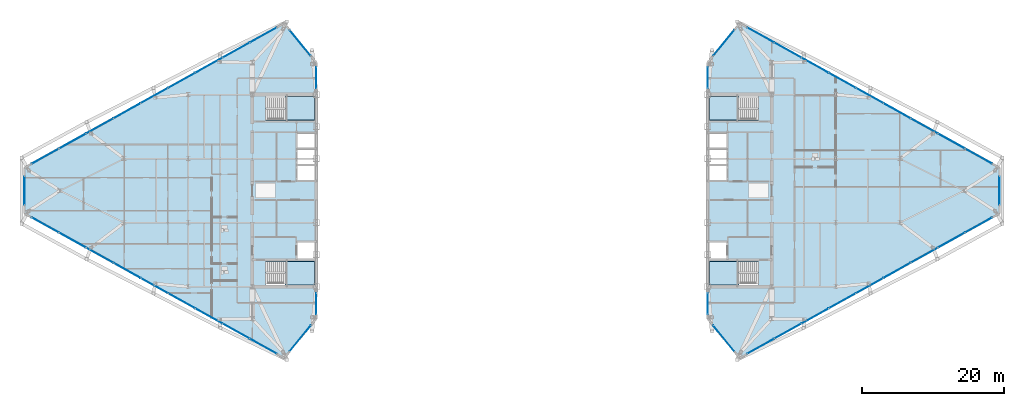
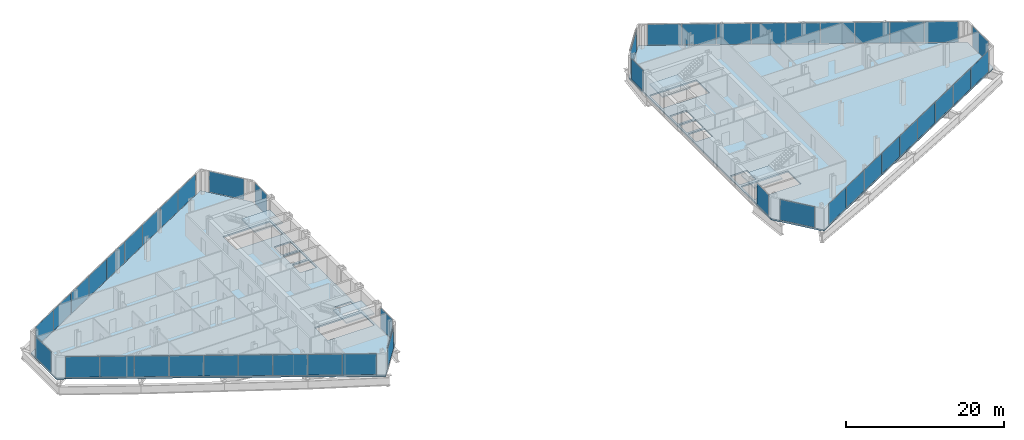
# One storey, part 19 of 28: 46 plates, 6 slabs, 18 elements without a shape of their own.
"""IFC4 building model written with IfcOpenShell, lengths in metres."""

from ifc_helpers import new_model, si_unit, direction, frame, origin, origin_2d, place, context, subcontext, project, spatial, polyline, rectangle, outline, extrude, source, transform, mapped, material, layer, layer_set, type_object, type_shapes, element, aggregate, save


model = new_model("IFC4")

# Units and contexts
model_context = context("Model", 3, precision=1e-05, world=origin(), true_north=direction((0.0, 1.0)))
body_context = subcontext(model_context, "Body", "Model", "MODEL_VIEW")
ifc_project = project(units=[si_unit("LENGTHUNIT", "METRE"), si_unit("AREAUNIT", "SQUARE_METRE"), si_unit("VOLUMEUNIT", "CUBIC_METRE"), si_unit("PLANEANGLEUNIT", "RADIAN"), si_unit("MASSUNIT", "GRAM", prefix="KILO")], contexts=[model_context])

# Site, building, storey
site_placement = place(None, origin())
site = spatial("IfcSite", under=ifc_project, at=site_placement, CompositionType="ELEMENT")
building_placement = place(site_placement, origin())
building = spatial("IfcBuilding", under=site, at=building_placement, Name="Seokmaru Belvedere", CompositionType="ELEMENT")
storey_placement = place(building_placement, frame((0.0, 0.0, 158.39990234375)))
storey = spatial("IfcBuildingStorey", under=building, at=storey_placement, Name="L42", CompositionType="ELEMENT", Elevation=158.39990234375)

# Stair, slab
ifc_material_1 = material(Name="Concrete C40 (40 MPa)", Category="concrete")
stair_type = type_object("IfcStairType", Name="Typical Tower Core Dog-Leg Stair 3600", PredefinedType="TWO_STRAIGHT_RUN_STAIR", material=ifc_material_1)
stair_1_placement = place(storey_placement, origin())
stair_1 = element("IfcStair", 1, at=stair_1_placement, inside=storey, type_object=stair_type, Name="L42 Special Escape Stair ST-W1", PredefinedType="TWO_STRAIGHT_RUN_STAIR")
ifc_layer_1 = layer(ifc_material_1, 0.199951171875)
ifc_layer_set_1 = layer_set([ifc_layer_1], Name="Concrete C40 (40 MPa)")
slab_type_1 = type_object("IfcSlabType", Name="Reinforced Concrete Stair Landing Slab 200", PredefinedType="LANDING", material=ifc_layer_set_1)
slab_1_placement = place(storey_placement, frame((0.0, 0.0, 1.60009765625)))
slab_1 = element("IfcSlab", 2, at=slab_1_placement, type_object=slab_type_1, Name="ST-W1 landing 1", PredefinedType="LANDING", context=body_context, shape_type="SweptSolid", body=[
    extrude(outline(polyline([(-31.8798828125, -13.239990234375), (-27.760009765625, -13.239990234375), (-27.760009765625, -9.949951171875), (-31.8798828125, -9.949951171875), (-31.8798828125, -13.239990234375)])), origin(), (0.0, 0.0, 1.0), 0.199951171875),
])
aggregate(stair_1, [slab_1])

stair_2_placement = place(storey_placement, origin())
stair_2 = element("IfcStair", 3, at=stair_2_placement, inside=storey, type_object=stair_type, Name="L42 Special Escape Stair ST-W2", PredefinedType="TWO_STRAIGHT_RUN_STAIR")
slab_2_placement = place(storey_placement, frame((0.0, 0.0, 1.60009765625)))
slab_2 = element("IfcSlab", 4, at=slab_2_placement, type_object=slab_type_1, Name="ST-W2 landing 1", PredefinedType="LANDING", context=body_context, shape_type="SweptSolid", body=[
    extrude(outline(polyline([(-31.8798828125, 9.949951171875), (-27.760009765625, 9.949951171875), (-27.760009765625, 13.239990234375), (-31.8798828125, 13.239990234375), (-31.8798828125, 9.949951171875)])), origin(), (0.0, 0.0, 1.0), 0.199951171875),
])
aggregate(stair_2, [slab_2])

stair_3_placement = place(storey_placement, origin())
stair_3 = element("IfcStair", 5, at=stair_3_placement, inside=storey, type_object=stair_type, Name="L42 Special Escape Stair ST-E1", PredefinedType="TWO_STRAIGHT_RUN_STAIR")
slab_3_placement = place(storey_placement, frame((0.0, 0.0, 1.60009765625)))
slab_3 = element("IfcSlab", 6, at=slab_3_placement, type_object=slab_type_1, Name="ST-E1 landing 1", PredefinedType="LANDING", context=body_context, shape_type="SweptSolid", body=[
    extrude(outline(polyline([(27.760009765625, -13.239990234375), (31.8798828125, -13.239990234375), (31.8798828125, -9.949951171875), (27.760009765625, -9.949951171875), (27.760009765625, -13.239990234375)])), origin(), (0.0, 0.0, 1.0), 0.199951171875),
])
aggregate(stair_3, [slab_3])

stair_4_placement = place(storey_placement, origin())
stair_4 = element("IfcStair", 7, at=stair_4_placement, inside=storey, type_object=stair_type, Name="L42 Special Escape Stair ST-E2", PredefinedType="TWO_STRAIGHT_RUN_STAIR")
slab_4_placement = place(storey_placement, frame((0.0, 0.0, 1.60009765625)))
slab_4 = element("IfcSlab", 8, at=slab_4_placement, type_object=slab_type_1, Name="ST-E2 landing 1", PredefinedType="LANDING", context=body_context, shape_type="SweptSolid", body=[
    extrude(outline(polyline([(27.760009765625, 9.949951171875), (31.8798828125, 9.949951171875), (31.8798828125, 13.239990234375), (27.760009765625, 13.239990234375), (27.760009765625, 9.949951171875)])), origin(), (0.0, 0.0, 1.0), 0.199951171875),
])
aggregate(stair_4, [slab_4])

# Slabs
ifc_layer_2 = layer(ifc_material_1, 0.219970703125)
ifc_layer_set_2 = layer_set([ifc_layer_2], Name="Concrete C40 (40 MPa)")
slab_type_2 = type_object("IfcSlabType", Name="Typical Tower Composite Floor Slab 220", PredefinedType="FLOOR", material=ifc_layer_set_2)
slab_5_placement = place(storey_placement, frame((0.0, 0.0, -0.219970703125)))
element("IfcSlab", 9, at=slab_5_placement, inside=storey, type_object=slab_type_2, Name="L42 West Leg Floor Slab", PredefinedType="FLOOR", context=body_context, shape_type="SweptSolid", body=[
    extrude(outline(polyline([(-27.5, -18.0), (-27.5, 18.0), (-32.0, 23.5), (-68.5, 3.199951171875), (-68.5, -3.199951171875), (-32.0, -23.5), (-27.5, -18.0)]), holes=[polyline([(-34.60009765625, -13.25), (-27.75, -13.25), (-27.75, -9.949951171875), (-34.60009765625, -9.949951171875), (-34.60009765625, -13.25)]), polyline([(-34.60009765625, 9.949951171875), (-27.75, 9.949951171875), (-27.75, 13.25), (-34.60009765625, 13.25), (-34.60009765625, 9.949951171875)]), polyline([(-30.14990234375, -9.550048828125), (-27.75, -9.550048828125), (-27.75, -7.25), (-30.14990234375, -7.25), (-30.14990234375, -9.550048828125)]), polyline([(-30.14990234375, 1.449951171875), (-27.75, 1.449951171875), (-27.75, 3.449951171875), (-30.14990234375, 3.449951171875), (-30.14990234375, 1.449951171875)]), polyline([(-30.14990234375, 3.75), (-27.75, 3.75), (-27.75, 5.75), (-30.14990234375, 5.75), (-30.14990234375, 3.75)]), polyline([(-30.14990234375, 6.050048828125), (-27.75, 6.050048828125), (-27.75, 8.050048828125), (-30.14990234375, 8.050048828125), (-30.14990234375, 6.050048828125)])]), origin(), (0.0, 0.0, 1.0), 0.219970703125),
])
slab_6_placement = place(storey_placement, frame((0.0, 0.0, -0.219970703125)))
element("IfcSlab", 10, at=slab_6_placement, inside=storey, type_object=slab_type_2, Name="L42 East Leg Floor Slab", PredefinedType="FLOOR", context=body_context, shape_type="SweptSolid", body=[
    extrude(outline(polyline([(32.0, -23.5), (68.5, -3.199951171875), (68.5, 3.199951171875), (32.0, 23.5), (27.5, 18.0), (27.5, -18.0), (32.0, -23.5)]), holes=[polyline([(27.75, -13.25), (34.60009765625, -13.25), (34.60009765625, -9.949951171875), (27.75, -9.949951171875), (27.75, -13.25)]), polyline([(27.75, 9.949951171875), (34.60009765625, 9.949951171875), (34.60009765625, 13.25), (27.75, 13.25), (27.75, 9.949951171875)]), polyline([(27.75, -9.550048828125), (30.14990234375, -9.550048828125), (30.14990234375, -7.25), (27.75, -7.25), (27.75, -9.550048828125)]), polyline([(27.75, 1.449951171875), (30.14990234375, 1.449951171875), (30.14990234375, 3.449951171875), (27.75, 3.449951171875), (27.75, 1.449951171875)]), polyline([(27.75, 3.75), (30.14990234375, 3.75), (30.14990234375, 5.75), (27.75, 5.75), (27.75, 3.75)]), polyline([(27.75, 6.050048828125), (30.14990234375, 6.050048828125), (30.14990234375, 8.050048828125), (27.75, 8.050048828125), (27.75, 6.050048828125)])]), origin(), (0.0, 0.0, 1.0), 0.219970703125),
])

# Curtain wall, plate
ifc_material_2 = material(Name="Bronze Triple Insulating Glass", Category="glass")
ifc_layer_3 = layer(ifc_material_2, 0.179931640625)
ifc_layer_set_3 = layer_set([ifc_layer_3], Name="Bronze Triple Insulating Glass")
curtain_wall_type = type_object("IfcCurtainWallType", Name="High-Rise Wind-Corner Curtain Wall System CW-5", PredefinedType="NOTDEFINED", material=ifc_layer_set_3)
curtain_wall_1_placement = place(storey_placement, origin())
curtain_wall_1 = element("IfcCurtainWall", 11, at=curtain_wall_1_placement, inside=storey, type_object=curtain_wall_type, Name="L42 Curtain Wall WSP_1", PredefinedType="NOTDEFINED")
ifc_layer_4 = layer(ifc_material_2, 0.035888671875)
ifc_layer_set_4 = layer_set([ifc_layer_4], Name="Bronze Triple Insulating Glass")
plate_type = type_object("IfcPlateType", Name="Bronze Triple Vision Glazing Panel 36", PredefinedType="CURTAIN_PANEL", material=ifc_layer_set_4)
shared_shape_1 = source(origin(), body_context, "Body", "SweptSolid", [
    extrude(rectangle(XDim=2.969970703125, YDim=0.035888671875, at=origin_2d()), origin(), (0.0, 0.0, 1.0), 3.2099609375),
])
plate_1_placement = place(storey_placement, frame((-27.5, -15.8798828125, 0.065185546875), z_axis=(0.0, 0.0, 1.0), x_axis=(0.0, 1.0, 0.0)))
plate_1 = element("IfcPlate", 12, at=plate_1_placement, type_object=plate_type, Name="CW:L42:WSP_1 Glazing Panel 1-1", PredefinedType="CURTAIN_PANEL", context=body_context, shape_type="MappedRepresentation", body=[
    mapped(shared_shape_1, transform((0.0, 0.0, 0.0), scale=1.0)),
])
aggregate(curtain_wall_1, [plate_1])

curtain_wall_2_placement = place(storey_placement, origin())
curtain_wall_2 = element("IfcCurtainWall", 13, at=curtain_wall_2_placement, inside=storey, type_object=curtain_wall_type, Name="L42 Curtain Wall WSP_2", PredefinedType="NOTDEFINED")
plate_2_placement = place(storey_placement, frame((-27.5, 15.8798828125, 0.065185546875), z_axis=(0.0, 0.0, 1.0), x_axis=(0.0, 1.0, 0.0)))
plate_2 = element("IfcPlate", 14, at=plate_2_placement, type_object=plate_type, Name="CW:L42:WSP_2 Glazing Panel 1-1", PredefinedType="CURTAIN_PANEL", context=body_context, shape_type="MappedRepresentation", body=[
    mapped(shared_shape_1, transform((0.0, 0.0, 0.0), scale=1.0)),
])
aggregate(curtain_wall_2, [plate_2])

curtain_wall_3_placement = place(storey_placement, origin())
curtain_wall_3 = element("IfcCurtainWall", 15, at=curtain_wall_3_placement, inside=storey, type_object=curtain_wall_type, Name="L42 Curtain Wall ESP_1", PredefinedType="NOTDEFINED")
plate_3_placement = place(storey_placement, frame((27.5, -15.8798828125, 0.065185546875), z_axis=(0.0, 0.0, 1.0), x_axis=(0.0, -1.0, 0.0)))
plate_3 = element("IfcPlate", 16, at=plate_3_placement, type_object=plate_type, Name="CW:L42:ESP_1 Glazing Panel 1-1", PredefinedType="CURTAIN_PANEL", context=body_context, shape_type="MappedRepresentation", body=[
    mapped(shared_shape_1, transform((0.0, 0.0, 0.0), scale=1.0)),
])
aggregate(curtain_wall_3, [plate_3])

curtain_wall_4_placement = place(storey_placement, origin())
curtain_wall_4 = element("IfcCurtainWall", 17, at=curtain_wall_4_placement, inside=storey, type_object=curtain_wall_type, Name="L42 Curtain Wall ESP_2", PredefinedType="NOTDEFINED")
plate_4_placement = place(storey_placement, frame((27.5, 15.8798828125, 0.065185546875), z_axis=(0.0, 0.0, 1.0), x_axis=(0.0, -1.0, 0.0)))
plate_4 = element("IfcPlate", 18, at=plate_4_placement, type_object=plate_type, Name="CW:L42:ESP_2 Glazing Panel 1-1", PredefinedType="CURTAIN_PANEL", context=body_context, shape_type="MappedRepresentation", body=[
    mapped(shared_shape_1, transform((0.0, 0.0, 0.0), scale=1.0)),
])
aggregate(curtain_wall_4, [plate_4])

curtain_wall_5_placement = place(storey_placement, origin())
curtain_wall_5 = element("IfcCurtainWall", 19, at=curtain_wall_5_placement, inside=storey, type_object=curtain_wall_type, Name="L42 Curtain Wall WF2", PredefinedType="NOTDEFINED")
shared_shape_2 = source(origin(), body_context, "Body", "SweptSolid", [
    extrude(rectangle(XDim=4.67626953125, YDim=0.035888671875, at=origin_2d()), origin(), (0.0, 0.0, 1.0), 3.2099609375),
])
plate_5_placement = place(storey_placement, frame((-29.75, 20.75, 0.065185546875), z_axis=(0.0, 0.0, 1.0), x_axis=(-0.633253907144, 0.773944112379, 0.0)))
plate_5 = element("IfcPlate", 20, at=plate_5_placement, type_object=plate_type, Name="CW:L42:WF2 Glazing Panel 1-1", PredefinedType="CURTAIN_PANEL", context=body_context, shape_type="MappedRepresentation", body=[
    mapped(shared_shape_2, transform((0.0, 0.0, 0.0), scale=1.0)),
])
aggregate(curtain_wall_5, [plate_5])

curtain_wall_6_placement = place(storey_placement, origin())
curtain_wall_6 = element("IfcCurtainWall", 21, at=curtain_wall_6_placement, inside=storey, type_object=curtain_wall_type, Name="L42 Curtain Wall WF6", PredefinedType="NOTDEFINED")
plate_6_placement = place(storey_placement, frame((-29.75, -20.75, 0.065185546875), z_axis=(0.0, 0.0, 1.0), x_axis=(0.633253907144, 0.773944112379, 0.0)))
plate_6 = element("IfcPlate", 22, at=plate_6_placement, type_object=plate_type, Name="CW:L42:WF6 Glazing Panel 1-1", PredefinedType="CURTAIN_PANEL", context=body_context, shape_type="MappedRepresentation", body=[
    mapped(shared_shape_2, transform((0.0, 0.0, 0.0), scale=1.0)),
])
aggregate(curtain_wall_6, [plate_6])

curtain_wall_7_placement = place(storey_placement, origin())
curtain_wall_7 = element("IfcCurtainWall", 23, at=curtain_wall_7_placement, inside=storey, type_object=curtain_wall_type, Name="L42 Curtain Wall EF4", PredefinedType="NOTDEFINED")
plate_7_placement = place(storey_placement, frame((29.75, 20.75, 0.065185546875), z_axis=(0.0, 0.0, 1.0), x_axis=(-0.633253907144, -0.773944112379, 0.0)))
plate_7 = element("IfcPlate", 24, at=plate_7_placement, type_object=plate_type, Name="CW:L42:EF4 Glazing Panel 1-1", PredefinedType="CURTAIN_PANEL", context=body_context, shape_type="MappedRepresentation", body=[
    mapped(shared_shape_2, transform((0.0, 0.0, 0.0), scale=1.0)),
])
aggregate(curtain_wall_7, [plate_7])

curtain_wall_8_placement = place(storey_placement, origin())
curtain_wall_8 = element("IfcCurtainWall", 25, at=curtain_wall_8_placement, inside=storey, type_object=curtain_wall_type, Name="L42 Curtain Wall EF6", PredefinedType="NOTDEFINED")
plate_8_placement = place(storey_placement, frame((29.75, -20.75, 0.065185546875), z_axis=(0.0, 0.0, 1.0), x_axis=(0.633253907144, -0.773944112379, 0.0)))
plate_8 = element("IfcPlate", 26, at=plate_8_placement, type_object=plate_type, Name="CW:L42:EF6 Glazing Panel 1-1", PredefinedType="CURTAIN_PANEL", context=body_context, shape_type="MappedRepresentation", body=[
    mapped(shared_shape_2, transform((0.0, 0.0, 0.0), scale=1.0)),
])
aggregate(curtain_wall_8, [plate_8])

# Curtain wall, plates
curtain_wall_9_placement = place(storey_placement, origin())
curtain_wall_9 = element("IfcCurtainWall", 27, at=curtain_wall_9_placement, inside=storey, type_object=curtain_wall_type, Name="L42 Curtain Wall WF3", PredefinedType="NOTDEFINED")
shared_shape_3 = source(origin(), body_context, "Body", "SweptSolid", [
    extrude(rectangle(XDim=4.28759765625, YDim=0.035888671875, at=origin_2d()), origin(), (0.0, 0.0, 1.0), 3.2099609375),
])
plate_9_placement = place(storey_placement, frame((-34.935302734375, 21.867431640625, 0.065185546875), z_axis=(0.0, 0.0, 1.0), x_axis=(-0.873932601598, -0.486047125147, 0.0)))
plate_9 = element("IfcPlate", 28, at=plate_9_placement, type_object=plate_type, Name="CW:L42:WF3 Glazing Panel 1-1", PredefinedType="CURTAIN_PANEL", context=body_context, shape_type="MappedRepresentation", body=[
    mapped(shared_shape_3, transform((0.0, 0.0, 0.0), scale=1.0)),
])
plate_10_placement = place(storey_placement, frame((-65.564697265625, 4.83251953125, 0.065185546875), z_axis=(0.0, 0.0, 1.0), x_axis=(-0.873932601598, -0.486047125147, 0.0)))
plate_10 = element("IfcPlate", 29, at=plate_10_placement, type_object=plate_type, Name="CW:L42:WF3 Glazing Panel 9-1", PredefinedType="CURTAIN_PANEL", context=body_context, shape_type="MappedRepresentation", body=[
    mapped(shared_shape_3, transform((0.0, 0.0, 0.0), scale=1.0)),
])

curtain_wall_10_placement = place(storey_placement, origin())
curtain_wall_10 = element("IfcCurtainWall", 30, at=curtain_wall_10_placement, inside=storey, type_object=curtain_wall_type, Name="L42 Curtain Wall WF5", PredefinedType="NOTDEFINED")
plate_11_placement = place(storey_placement, frame((-65.564697265625, -4.83251953125, 0.065185546875), z_axis=(0.0, 0.0, 1.0), x_axis=(0.873932601598, -0.486047125147, 0.0)))
plate_11 = element("IfcPlate", 31, at=plate_11_placement, type_object=plate_type, Name="CW:L42:WF5 Glazing Panel 1-1", PredefinedType="CURTAIN_PANEL", context=body_context, shape_type="MappedRepresentation", body=[
    mapped(shared_shape_3, transform((0.0, 0.0, 0.0), scale=1.0)),
])
plate_12_placement = place(storey_placement, frame((-34.935302734375, -21.867431640625, 0.065185546875), z_axis=(0.0, 0.0, 1.0), x_axis=(0.873932601598, -0.486047125147, 0.0)))
plate_12 = element("IfcPlate", 32, at=plate_12_placement, type_object=plate_type, Name="CW:L42:WF5 Glazing Panel 9-1", PredefinedType="CURTAIN_PANEL", context=body_context, shape_type="MappedRepresentation", body=[
    mapped(shared_shape_3, transform((0.0, 0.0, 0.0), scale=1.0)),
])

curtain_wall_11_placement = place(storey_placement, origin())
curtain_wall_11 = element("IfcCurtainWall", 33, at=curtain_wall_11_placement, inside=storey, type_object=curtain_wall_type, Name="L42 Curtain Wall EF1", PredefinedType="NOTDEFINED")
plate_13_placement = place(storey_placement, frame((34.935302734375, -21.867431640625, 0.065185546875), z_axis=(0.0, 0.0, 1.0), x_axis=(0.873932601598, 0.486047125147, 0.0)))
plate_13 = element("IfcPlate", 34, at=plate_13_placement, type_object=plate_type, Name="CW:L42:EF1 Glazing Panel 1-1", PredefinedType="CURTAIN_PANEL", context=body_context, shape_type="MappedRepresentation", body=[
    mapped(shared_shape_3, transform((0.0, 0.0, 0.0), scale=1.0)),
])
plate_14_placement = place(storey_placement, frame((65.564697265625, -4.83251953125, 0.065185546875), z_axis=(0.0, 0.0, 1.0), x_axis=(0.873932601598, 0.486047125147, 0.0)))
plate_14 = element("IfcPlate", 35, at=plate_14_placement, type_object=plate_type, Name="CW:L42:EF1 Glazing Panel 9-1", PredefinedType="CURTAIN_PANEL", context=body_context, shape_type="MappedRepresentation", body=[
    mapped(shared_shape_3, transform((0.0, 0.0, 0.0), scale=1.0)),
])

curtain_wall_12_placement = place(storey_placement, origin())
curtain_wall_12 = element("IfcCurtainWall", 36, at=curtain_wall_12_placement, inside=storey, type_object=curtain_wall_type, Name="L42 Curtain Wall EF3", PredefinedType="NOTDEFINED")
plate_15_placement = place(storey_placement, frame((65.564697265625, 4.83251953125, 0.065185546875), z_axis=(0.0, 0.0, 1.0), x_axis=(-0.873932601598, 0.486047125147, 0.0)))
plate_15 = element("IfcPlate", 37, at=plate_15_placement, type_object=plate_type, Name="CW:L42:EF3 Glazing Panel 1-1", PredefinedType="CURTAIN_PANEL", context=body_context, shape_type="MappedRepresentation", body=[
    mapped(shared_shape_3, transform((0.0, 0.0, 0.0), scale=1.0)),
])
plate_16_placement = place(storey_placement, frame((34.935302734375, 21.867431640625, 0.065185546875), z_axis=(0.0, 0.0, 1.0), x_axis=(-0.873932601598, 0.486047125147, 0.0)))
plate_16 = element("IfcPlate", 38, at=plate_16_placement, type_object=plate_type, Name="CW:L42:EF3 Glazing Panel 9-1", PredefinedType="CURTAIN_PANEL", context=body_context, shape_type="MappedRepresentation", body=[
    mapped(shared_shape_3, transform((0.0, 0.0, 0.0), scale=1.0)),
])

# Plate
shared_shape_4 = source(origin(), body_context, "Body", "SweptSolid", [
    extrude(rectangle(XDim=4.320068359375, YDim=0.035888671875, at=origin_2d()), origin(), (0.0, 0.0, 1.0), 3.2099609375),
])
plate_17_placement = place(storey_placement, frame((-38.75341796875, 19.743896484375, 0.065185546875), z_axis=(0.0, 0.0, 1.0), x_axis=(-0.873932601598, -0.486047125147, 0.0)))
plate_17 = element("IfcPlate", 39, at=plate_17_placement, type_object=plate_type, Name="CW:L42:WF3 Glazing Panel 2-1", PredefinedType="CURTAIN_PANEL", context=body_context, shape_type="MappedRepresentation", body=[
    mapped(shared_shape_4, transform((0.0, 0.0, 0.0), scale=1.0)),
])

plate_18_placement = place(storey_placement, frame((-42.585693359375, 17.61279296875, 0.065185546875), z_axis=(0.0, 0.0, 1.0), x_axis=(-0.873932601598, -0.486047125147, 0.0)))
plate_18 = element("IfcPlate", 40, at=plate_18_placement, type_object=plate_type, Name="CW:L42:WF3 Glazing Panel 3-1", PredefinedType="CURTAIN_PANEL", context=body_context, shape_type="MappedRepresentation", body=[
    mapped(shared_shape_4, transform((0.0, 0.0, 0.0), scale=1.0)),
])

plate_19_placement = place(storey_placement, frame((-46.417724609375, 15.481201171875, 0.065185546875), z_axis=(0.0, 0.0, 1.0), x_axis=(-0.873932601598, -0.486047125147, 0.0)))
plate_19 = element("IfcPlate", 41, at=plate_19_placement, type_object=plate_type, Name="CW:L42:WF3 Glazing Panel 4-1", PredefinedType="CURTAIN_PANEL", context=body_context, shape_type="MappedRepresentation", body=[
    mapped(shared_shape_4, transform((0.0, 0.0, 0.0), scale=1.0)),
])

plate_20_placement = place(storey_placement, frame((-50.25, 13.35009765625, 0.065185546875), z_axis=(0.0, 0.0, 1.0), x_axis=(-0.873932601598, -0.486047125147, 0.0)))
plate_20 = element("IfcPlate", 42, at=plate_20_placement, type_object=plate_type, Name="CW:L42:WF3 Glazing Panel 5-1", PredefinedType="CURTAIN_PANEL", context=body_context, shape_type="MappedRepresentation", body=[
    mapped(shared_shape_4, transform((0.0, 0.0, 0.0), scale=1.0)),
])

plate_21_placement = place(storey_placement, frame((-54.082275390625, 11.21875, 0.065185546875), z_axis=(0.0, 0.0, 1.0), x_axis=(-0.873932601598, -0.486047125147, 0.0)))
plate_21 = element("IfcPlate", 43, at=plate_21_placement, type_object=plate_type, Name="CW:L42:WF3 Glazing Panel 6-1", PredefinedType="CURTAIN_PANEL", context=body_context, shape_type="MappedRepresentation", body=[
    mapped(shared_shape_4, transform((0.0, 0.0, 0.0), scale=1.0)),
])

plate_22_placement = place(storey_placement, frame((-57.914306640625, 9.08740234375, 0.065185546875), z_axis=(0.0, 0.0, 1.0), x_axis=(-0.873932601598, -0.486047125147, 0.0)))
plate_22 = element("IfcPlate", 44, at=plate_22_placement, type_object=plate_type, Name="CW:L42:WF3 Glazing Panel 7-1", PredefinedType="CURTAIN_PANEL", context=body_context, shape_type="MappedRepresentation", body=[
    mapped(shared_shape_4, transform((0.0, 0.0, 0.0), scale=1.0)),
])

plate_23_placement = place(storey_placement, frame((-61.74658203125, 6.9560546875, 0.065185546875), z_axis=(0.0, 0.0, 1.0), x_axis=(-0.873932601598, -0.486047125147, 0.0)))
plate_23 = element("IfcPlate", 45, at=plate_23_placement, type_object=plate_type, Name="CW:L42:WF3 Glazing Panel 8-1", PredefinedType="CURTAIN_PANEL", context=body_context, shape_type="MappedRepresentation", body=[
    mapped(shared_shape_4, transform((0.0, 0.0, 0.0), scale=1.0)),
])

aggregate(curtain_wall_9, [plate_9, plate_17, plate_18, plate_19, plate_20, plate_21, plate_22, plate_23, plate_10])

plate_24_placement = place(storey_placement, frame((-61.74658203125, -6.9560546875, 0.065185546875), z_axis=(0.0, 0.0, 1.0), x_axis=(0.873932601598, -0.486047125147, 0.0)))
plate_24 = element("IfcPlate", 46, at=plate_24_placement, type_object=plate_type, Name="CW:L42:WF5 Glazing Panel 2-1", PredefinedType="CURTAIN_PANEL", context=body_context, shape_type="MappedRepresentation", body=[
    mapped(shared_shape_4, transform((0.0, 0.0, 0.0), scale=1.0)),
])

plate_25_placement = place(storey_placement, frame((-57.914306640625, -9.08740234375, 0.065185546875), z_axis=(0.0, 0.0, 1.0), x_axis=(0.873932601598, -0.486047125147, 0.0)))
plate_25 = element("IfcPlate", 47, at=plate_25_placement, type_object=plate_type, Name="CW:L42:WF5 Glazing Panel 3-1", PredefinedType="CURTAIN_PANEL", context=body_context, shape_type="MappedRepresentation", body=[
    mapped(shared_shape_4, transform((0.0, 0.0, 0.0), scale=1.0)),
])

plate_26_placement = place(storey_placement, frame((-54.082275390625, -11.21875, 0.065185546875), z_axis=(0.0, 0.0, 1.0), x_axis=(0.873932601598, -0.486047125147, 0.0)))
plate_26 = element("IfcPlate", 48, at=plate_26_placement, type_object=plate_type, Name="CW:L42:WF5 Glazing Panel 4-1", PredefinedType="CURTAIN_PANEL", context=body_context, shape_type="MappedRepresentation", body=[
    mapped(shared_shape_4, transform((0.0, 0.0, 0.0), scale=1.0)),
])

plate_27_placement = place(storey_placement, frame((-50.25, -13.35009765625, 0.065185546875), z_axis=(0.0, 0.0, 1.0), x_axis=(0.873932601598, -0.486047125147, 0.0)))
plate_27 = element("IfcPlate", 49, at=plate_27_placement, type_object=plate_type, Name="CW:L42:WF5 Glazing Panel 5-1", PredefinedType="CURTAIN_PANEL", context=body_context, shape_type="MappedRepresentation", body=[
    mapped(shared_shape_4, transform((0.0, 0.0, 0.0), scale=1.0)),
])

plate_28_placement = place(storey_placement, frame((-46.417724609375, -15.481201171875, 0.065185546875), z_axis=(0.0, 0.0, 1.0), x_axis=(0.873932601598, -0.486047125147, 0.0)))
plate_28 = element("IfcPlate", 50, at=plate_28_placement, type_object=plate_type, Name="CW:L42:WF5 Glazing Panel 6-1", PredefinedType="CURTAIN_PANEL", context=body_context, shape_type="MappedRepresentation", body=[
    mapped(shared_shape_4, transform((0.0, 0.0, 0.0), scale=1.0)),
])

plate_29_placement = place(storey_placement, frame((-42.585693359375, -17.61279296875, 0.065185546875), z_axis=(0.0, 0.0, 1.0), x_axis=(0.873932601598, -0.486047125147, 0.0)))
plate_29 = element("IfcPlate", 51, at=plate_29_placement, type_object=plate_type, Name="CW:L42:WF5 Glazing Panel 7-1", PredefinedType="CURTAIN_PANEL", context=body_context, shape_type="MappedRepresentation", body=[
    mapped(shared_shape_4, transform((0.0, 0.0, 0.0), scale=1.0)),
])

plate_30_placement = place(storey_placement, frame((-38.75341796875, -19.743896484375, 0.065185546875), z_axis=(0.0, 0.0, 1.0), x_axis=(0.873932601598, -0.486047125147, 0.0)))
plate_30 = element("IfcPlate", 52, at=plate_30_placement, type_object=plate_type, Name="CW:L42:WF5 Glazing Panel 8-1", PredefinedType="CURTAIN_PANEL", context=body_context, shape_type="MappedRepresentation", body=[
    mapped(shared_shape_4, transform((0.0, 0.0, 0.0), scale=1.0)),
])

aggregate(curtain_wall_10, [plate_11, plate_24, plate_25, plate_26, plate_27, plate_28, plate_29, plate_30, plate_12])

plate_31_placement = place(storey_placement, frame((38.75341796875, -19.743896484375, 0.065185546875), z_axis=(0.0, 0.0, 1.0), x_axis=(0.873932601598, 0.486047125147, 0.0)))
plate_31 = element("IfcPlate", 53, at=plate_31_placement, type_object=plate_type, Name="CW:L42:EF1 Glazing Panel 2-1", PredefinedType="CURTAIN_PANEL", context=body_context, shape_type="MappedRepresentation", body=[
    mapped(shared_shape_4, transform((0.0, 0.0, 0.0), scale=1.0)),
])

plate_32_placement = place(storey_placement, frame((42.585693359375, -17.61279296875, 0.065185546875), z_axis=(0.0, 0.0, 1.0), x_axis=(0.873932601598, 0.486047125147, 0.0)))
plate_32 = element("IfcPlate", 54, at=plate_32_placement, type_object=plate_type, Name="CW:L42:EF1 Glazing Panel 3-1", PredefinedType="CURTAIN_PANEL", context=body_context, shape_type="MappedRepresentation", body=[
    mapped(shared_shape_4, transform((0.0, 0.0, 0.0), scale=1.0)),
])

plate_33_placement = place(storey_placement, frame((46.417724609375, -15.481201171875, 0.065185546875), z_axis=(0.0, 0.0, 1.0), x_axis=(0.873932601598, 0.486047125147, 0.0)))
plate_33 = element("IfcPlate", 55, at=plate_33_placement, type_object=plate_type, Name="CW:L42:EF1 Glazing Panel 4-1", PredefinedType="CURTAIN_PANEL", context=body_context, shape_type="MappedRepresentation", body=[
    mapped(shared_shape_4, transform((0.0, 0.0, 0.0), scale=1.0)),
])

plate_34_placement = place(storey_placement, frame((50.25, -13.35009765625, 0.065185546875), z_axis=(0.0, 0.0, 1.0), x_axis=(0.873932601598, 0.486047125147, 0.0)))
plate_34 = element("IfcPlate", 56, at=plate_34_placement, type_object=plate_type, Name="CW:L42:EF1 Glazing Panel 5-1", PredefinedType="CURTAIN_PANEL", context=body_context, shape_type="MappedRepresentation", body=[
    mapped(shared_shape_4, transform((0.0, 0.0, 0.0), scale=1.0)),
])

plate_35_placement = place(storey_placement, frame((54.082275390625, -11.21875, 0.065185546875), z_axis=(0.0, 0.0, 1.0), x_axis=(0.873932601598, 0.486047125147, 0.0)))
plate_35 = element("IfcPlate", 57, at=plate_35_placement, type_object=plate_type, Name="CW:L42:EF1 Glazing Panel 6-1", PredefinedType="CURTAIN_PANEL", context=body_context, shape_type="MappedRepresentation", body=[
    mapped(shared_shape_4, transform((0.0, 0.0, 0.0), scale=1.0)),
])

plate_36_placement = place(storey_placement, frame((57.914306640625, -9.08740234375, 0.065185546875), z_axis=(0.0, 0.0, 1.0), x_axis=(0.873932601598, 0.486047125147, 0.0)))
plate_36 = element("IfcPlate", 58, at=plate_36_placement, type_object=plate_type, Name="CW:L42:EF1 Glazing Panel 7-1", PredefinedType="CURTAIN_PANEL", context=body_context, shape_type="MappedRepresentation", body=[
    mapped(shared_shape_4, transform((0.0, 0.0, 0.0), scale=1.0)),
])

plate_37_placement = place(storey_placement, frame((61.74658203125, -6.9560546875, 0.065185546875), z_axis=(0.0, 0.0, 1.0), x_axis=(0.873932601598, 0.486047125147, 0.0)))
plate_37 = element("IfcPlate", 59, at=plate_37_placement, type_object=plate_type, Name="CW:L42:EF1 Glazing Panel 8-1", PredefinedType="CURTAIN_PANEL", context=body_context, shape_type="MappedRepresentation", body=[
    mapped(shared_shape_4, transform((0.0, 0.0, 0.0), scale=1.0)),
])

aggregate(curtain_wall_11, [plate_13, plate_31, plate_32, plate_33, plate_34, plate_35, plate_36, plate_37, plate_14])

plate_38_placement = place(storey_placement, frame((61.74658203125, 6.9560546875, 0.065185546875), z_axis=(0.0, 0.0, 1.0), x_axis=(-0.873932601598, 0.486047125147, 0.0)))
plate_38 = element("IfcPlate", 60, at=plate_38_placement, type_object=plate_type, Name="CW:L42:EF3 Glazing Panel 2-1", PredefinedType="CURTAIN_PANEL", context=body_context, shape_type="MappedRepresentation", body=[
    mapped(shared_shape_4, transform((0.0, 0.0, 0.0), scale=1.0)),
])

plate_39_placement = place(storey_placement, frame((57.914306640625, 9.08740234375, 0.065185546875), z_axis=(0.0, 0.0, 1.0), x_axis=(-0.873932601598, 0.486047125147, 0.0)))
plate_39 = element("IfcPlate", 61, at=plate_39_placement, type_object=plate_type, Name="CW:L42:EF3 Glazing Panel 3-1", PredefinedType="CURTAIN_PANEL", context=body_context, shape_type="MappedRepresentation", body=[
    mapped(shared_shape_4, transform((0.0, 0.0, 0.0), scale=1.0)),
])

plate_40_placement = place(storey_placement, frame((54.082275390625, 11.21875, 0.065185546875), z_axis=(0.0, 0.0, 1.0), x_axis=(-0.873932601598, 0.486047125147, 0.0)))
plate_40 = element("IfcPlate", 62, at=plate_40_placement, type_object=plate_type, Name="CW:L42:EF3 Glazing Panel 4-1", PredefinedType="CURTAIN_PANEL", context=body_context, shape_type="MappedRepresentation", body=[
    mapped(shared_shape_4, transform((0.0, 0.0, 0.0), scale=1.0)),
])

plate_41_placement = place(storey_placement, frame((50.25, 13.35009765625, 0.065185546875), z_axis=(0.0, 0.0, 1.0), x_axis=(-0.873932601598, 0.486047125147, 0.0)))
plate_41 = element("IfcPlate", 63, at=plate_41_placement, type_object=plate_type, Name="CW:L42:EF3 Glazing Panel 5-1", PredefinedType="CURTAIN_PANEL", context=body_context, shape_type="MappedRepresentation", body=[
    mapped(shared_shape_4, transform((0.0, 0.0, 0.0), scale=1.0)),
])

plate_42_placement = place(storey_placement, frame((46.417724609375, 15.481201171875, 0.065185546875), z_axis=(0.0, 0.0, 1.0), x_axis=(-0.873932601598, 0.486047125147, 0.0)))
plate_42 = element("IfcPlate", 64, at=plate_42_placement, type_object=plate_type, Name="CW:L42:EF3 Glazing Panel 6-1", PredefinedType="CURTAIN_PANEL", context=body_context, shape_type="MappedRepresentation", body=[
    mapped(shared_shape_4, transform((0.0, 0.0, 0.0), scale=1.0)),
])

plate_43_placement = place(storey_placement, frame((42.585693359375, 17.61279296875, 0.065185546875), z_axis=(0.0, 0.0, 1.0), x_axis=(-0.873932601598, 0.486047125147, 0.0)))
plate_43 = element("IfcPlate", 65, at=plate_43_placement, type_object=plate_type, Name="CW:L42:EF3 Glazing Panel 7-1", PredefinedType="CURTAIN_PANEL", context=body_context, shape_type="MappedRepresentation", body=[
    mapped(shared_shape_4, transform((0.0, 0.0, 0.0), scale=1.0)),
])

plate_44_placement = place(storey_placement, frame((38.75341796875, 19.743896484375, 0.065185546875), z_axis=(0.0, 0.0, 1.0), x_axis=(-0.873932601598, 0.486047125147, 0.0)))
plate_44 = element("IfcPlate", 66, at=plate_44_placement, type_object=plate_type, Name="CW:L42:EF3 Glazing Panel 8-1", PredefinedType="CURTAIN_PANEL", context=body_context, shape_type="MappedRepresentation", body=[
    mapped(shared_shape_4, transform((0.0, 0.0, 0.0), scale=1.0)),
])

aggregate(curtain_wall_12, [plate_15, plate_38, plate_39, plate_40, plate_41, plate_42, plate_43, plate_44, plate_16])

# Curtain wall, plate
curtain_wall_13_placement = place(storey_placement, origin())
curtain_wall_13 = element("IfcCurtainWall", 67, at=curtain_wall_13_placement, inside=storey, type_object=curtain_wall_type, Name="L42 Curtain Wall WF4", PredefinedType="NOTDEFINED")
shared_shape_5 = source(origin(), body_context, "Body", "SweptSolid", [
    extrude(rectangle(XDim=3.969970703125, YDim=0.035888671875, at=origin_2d()), origin(), (0.0, 0.0, 1.0), 3.2099609375),
])
type_shapes(plate_type, [shared_shape_1, shared_shape_2, shared_shape_3, shared_shape_4, shared_shape_5])
plate_45_placement = place(storey_placement, frame((-68.5, 0.0, 0.065185546875), z_axis=(0.0, 0.0, 1.0), x_axis=(0.0, -1.0, 0.0)))
plate_45 = element("IfcPlate", 68, at=plate_45_placement, type_object=plate_type, Name="CW:L42:WF4 Glazing Panel 1-1", PredefinedType="CURTAIN_PANEL", context=body_context, shape_type="MappedRepresentation", body=[
    mapped(shared_shape_5, transform((0.0, 0.0, 0.0), scale=1.0)),
])
aggregate(curtain_wall_13, [plate_45])

curtain_wall_14_placement = place(storey_placement, origin())
curtain_wall_14 = element("IfcCurtainWall", 69, at=curtain_wall_14_placement, inside=storey, type_object=curtain_wall_type, Name="L42 Curtain Wall EF2", PredefinedType="NOTDEFINED")
plate_46_placement = place(storey_placement, frame((68.5, 0.0, 0.065185546875), z_axis=(0.0, 0.0, 1.0), x_axis=(0.0, 1.0, 0.0)))
plate_46 = element("IfcPlate", 70, at=plate_46_placement, type_object=plate_type, Name="CW:L42:EF2 Glazing Panel 1-1", PredefinedType="CURTAIN_PANEL", context=body_context, shape_type="MappedRepresentation", body=[
    mapped(shared_shape_5, transform((0.0, 0.0, 0.0), scale=1.0)),
])
aggregate(curtain_wall_14, [plate_46])

save(model, "model.ifc")
